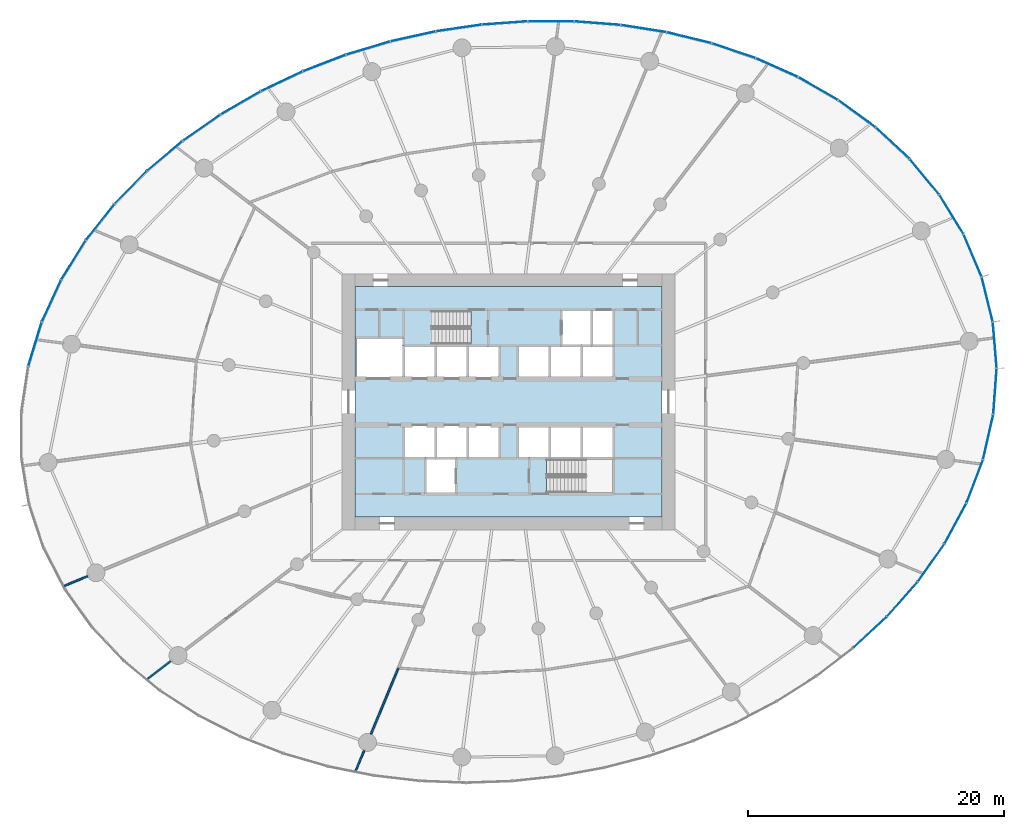
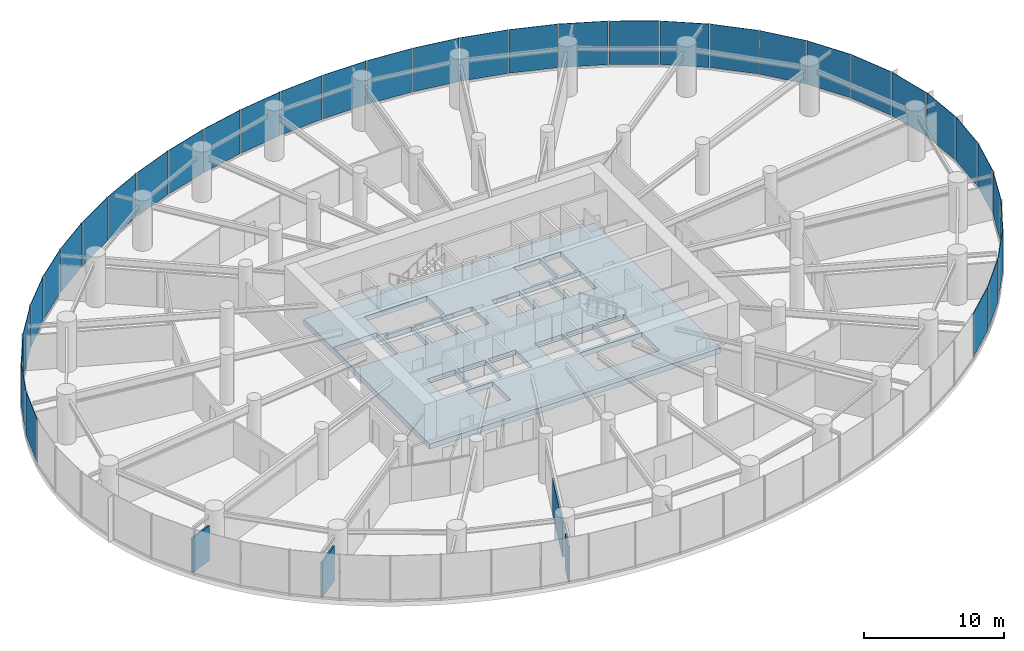
# One storey, part 11 of 19: 35 plates, 4 walls, 2 slabs, 8 elements without a shape of their own.
"""IFC4 building model written with IfcOpenShell, lengths in metres."""

from ifc_helpers import new_model, si_unit, direction, frame, frame_2d, origin, origin_2d, place, context, subcontext, project, spatial, line, indexed_curve, rectangle, outline, extrude, source, transform, mapped, material, layer, layer_set, type_object, element, aggregate, save


model = new_model("IFC4")

# Units and contexts
model_context = context("Model", 3, precision=1e-05, world=origin(), true_north=direction((0.0, 1.0)))
body_context = subcontext(model_context, "Body", "Model", "MODEL_VIEW")
ifc_project = project(units=[si_unit("LENGTHUNIT", "METRE"), si_unit("AREAUNIT", "SQUARE_METRE"), si_unit("VOLUMEUNIT", "CUBIC_METRE"), si_unit("PLANEANGLEUNIT", "RADIAN"), si_unit("MASSUNIT", "GRAM", prefix="KILO")], contexts=[model_context])

# Site, building, storey
site_placement = place(None, origin())
site = spatial("IfcSite", under=ifc_project, at=site_placement, CompositionType="ELEMENT")
building_placement = place(site_placement, origin())
building = spatial("IfcBuilding", under=site, at=building_placement, Name="Spindrift Exchange Tower", CompositionType="ELEMENT")
storey_placement = place(building_placement, frame((0.0, 0.0, 49.0)))
storey = spatial("IfcBuildingStorey", under=building, at=storey_placement, Name="L11", CompositionType="ELEMENT", Elevation=49.0)

# Slab
ifc_material_1 = material(Name="Concrete 50 MPa", Category="concrete")
ifc_layer_1 = layer(ifc_material_1, 0.449951171875)
ifc_layer_set_1 = layer_set([ifc_layer_1], Name="SL-CORE-FLOOR-450")
slab_type_1 = type_object("IfcSlabType", Name="SL-CORE-FLOOR-450", PredefinedType="FLOOR", material=ifc_layer_set_1)
slab_1_placement = place(storey_placement, frame((0.0, 0.0, -0.449951171875)))
element("IfcSlab", 1, at=slab_1_placement, inside=storey, type_object=slab_type_1, Name="L11 Core floor slab", PredefinedType="FLOOR", context=body_context, shape_type="SweptSolid", body=[
    extrude(outline(indexed_curve([(40.0, 39.0), (40.0, 57.0), (64.0, 57.0), (64.0, 39.0)], segments=[line(1, 2, 3, 4, 1)], self_intersect=False), holes=[indexed_curve([(47.800048828125, 43.5), (45.60009765625, 43.5), (45.60009765625, 40.89990234375), (47.800048828125, 40.89990234375)], segments=[line(1, 2, 3, 4, 1)], self_intersect=False), indexed_curve([(46.199951171875, 46.10009765625), (43.89990234375, 46.10009765625), (43.89990234375, 43.699951171875), (46.199951171875, 43.699951171875)], segments=[line(1, 2, 3, 4, 1)], self_intersect=False), indexed_curve([(48.699951171875, 46.10009765625), (46.39990234375, 46.10009765625), (46.39990234375, 43.699951171875), (48.699951171875, 43.699951171875)], segments=[line(1, 2, 3, 4, 1)], self_intersect=False), indexed_curve([(51.199951171875, 46.10009765625), (48.89990234375, 46.10009765625), (48.89990234375, 43.699951171875), (51.199951171875, 43.699951171875)], segments=[line(1, 2, 3, 4, 1)], self_intersect=False), indexed_curve([(46.199951171875, 52.300048828125), (43.89990234375, 52.300048828125), (43.89990234375, 49.89990234375), (46.199951171875, 49.89990234375)], segments=[line(1, 2, 3, 4, 1)], self_intersect=False), indexed_curve([(48.699951171875, 52.300048828125), (46.39990234375, 52.300048828125), (46.39990234375, 49.89990234375), (48.699951171875, 49.89990234375)], segments=[line(1, 2, 3, 4, 1)], self_intersect=False), indexed_curve([(51.199951171875, 52.300048828125), (48.89990234375, 52.300048828125), (48.89990234375, 49.89990234375), (51.199951171875, 49.89990234375)], segments=[line(1, 2, 3, 4, 1)], self_intersect=False), indexed_curve([(43.699951171875, 49.89990234375), (43.699951171875, 52.89990234375), (40.10009765625, 52.89990234375), (40.10009765625, 49.89990234375)], segments=[line(1, 2, 3, 4, 1)], self_intersect=False), indexed_curve([(49.0439453125, 55.093994140625), (43.906005859375, 55.093994140625), (43.906005859375, 52.506103515625), (49.0439453125, 52.506103515625)], segments=[line(1, 2, 3, 4, 1)], self_intersect=False), indexed_curve([(60.093994140625, 40.906005859375), (60.093994140625, 43.493896484375), (54.9560546875, 43.493896484375), (54.9560546875, 40.906005859375)], segments=[line(1, 2, 3, 4, 1)], self_intersect=False), indexed_curve([(55.10009765625, 46.10009765625), (52.800048828125, 46.10009765625), (52.800048828125, 43.699951171875), (55.10009765625, 43.699951171875)], segments=[line(1, 2, 3, 4, 1)], self_intersect=False), indexed_curve([(57.60009765625, 46.10009765625), (55.300048828125, 46.10009765625), (55.300048828125, 43.699951171875), (57.60009765625, 43.699951171875)], segments=[line(1, 2, 3, 4, 1)], self_intersect=False), indexed_curve([(60.10009765625, 46.10009765625), (57.800048828125, 46.10009765625), (57.800048828125, 43.699951171875), (60.10009765625, 43.699951171875)], segments=[line(1, 2, 3, 4, 1)], self_intersect=False), indexed_curve([(55.10009765625, 52.300048828125), (52.800048828125, 52.300048828125), (52.800048828125, 49.89990234375), (55.10009765625, 49.89990234375)], segments=[line(1, 2, 3, 4, 1)], self_intersect=False), indexed_curve([(57.60009765625, 52.300048828125), (55.300048828125, 52.300048828125), (55.300048828125, 49.89990234375), (57.60009765625, 49.89990234375)], segments=[line(1, 2, 3, 4, 1)], self_intersect=False), indexed_curve([(60.10009765625, 52.300048828125), (57.800048828125, 52.300048828125), (57.800048828125, 49.89990234375), (60.10009765625, 49.89990234375)], segments=[line(1, 2, 3, 4, 1)], self_intersect=False), indexed_curve([(58.39990234375, 52.5), (58.39990234375, 55.10009765625), (56.199951171875, 55.10009765625), (56.199951171875, 52.5)], segments=[line(1, 2, 3, 4, 1)], self_intersect=False), indexed_curve([(60.10009765625, 52.5), (60.10009765625, 55.10009765625), (58.60009765625, 55.10009765625), (58.60009765625, 52.5)], segments=[line(1, 2, 3, 4, 1)], self_intersect=False)]), origin(), (0.0, 0.0, 1.0), 0.449951171875),
])

# Stair, slab
stair_type = type_object("IfcStairType", Name="ST-1250-R183", PredefinedType="HALF_TURN_STAIR", material=ifc_material_1)
stair_placement = place(storey_placement, origin())
stair = element("IfcStair", 2, at=stair_placement, inside=storey, type_object=stair_type, Name="L11 Exit stair ST1", PredefinedType="HALF_TURN_STAIR")
ifc_layer_2 = layer(ifc_material_1, 0.199951171875)
ifc_layer_set_2 = layer_set([ifc_layer_2], Name="SL-LANDING")
slab_type_2 = type_object("IfcSlabType", Name="SL-LANDING", PredefinedType="LANDING", material=ifc_layer_set_2)
slab_2_placement = place(storey_placement, frame((0.0, 0.0, 2.0)))
slab_2 = element("IfcSlab", 3, at=slab_2_placement, type_object=slab_type_2, Name="ST1 landing 1", PredefinedType="LANDING", context=body_context, shape_type="SweptSolid", body=[
    extrude(outline(indexed_curve([(46.050048828125, 52.39990234375), (43.800048828125, 52.39990234375), (43.800048828125, 55.199951171875), (46.050048828125, 55.199951171875)], segments=[line(1, 2, 3, 4, 1)], self_intersect=False)), origin(), (0.0, 0.0, 1.0), 0.199951171875),
])
aggregate(stair, [slab_2])

# Curtain wall, plate
ifc_material_2 = material(Name="Fritted laminated glass with bronze frame", Category="glass")
ifc_layer_3 = layer(ifc_material_2, 0.199951171875)
ifc_layer_set_3 = layer_set([ifc_layer_3], Name="ZONE 1 BRONZE FRITTED WALL")
curtain_wall_type = type_object("IfcCurtainWallType", Name="ZONE 1 BRONZE FRITTED WALL", PredefinedType="NOTDEFINED", material=ifc_layer_set_3)
curtain_wall_1_placement = place(storey_placement, origin())
curtain_wall_1 = element("IfcCurtainWall", 4, at=curtain_wall_1_placement, inside=storey, type_object=curtain_wall_type, Name="L11 Zone 1 Bronze Fritted Wall run 5", PredefinedType="NOTDEFINED")
ifc_material_3 = material(Name="Bronze fritted laminated glass, dense frit", Category="glass")
ifc_layer_4 = layer(ifc_material_3, 0.035888671875)
ifc_layer_set_4 = layer_set([ifc_layer_4], Name="ZONE 1 BRONZE FRITTED WALL PANEL DENSE FRIT 180")
plate_type_1 = type_object("IfcPlateType", Name="ZONE 1 BRONZE FRITTED WALL PANEL DENSE FRIT 180", PredefinedType="CURTAIN_PANEL", material=ifc_layer_set_4)
shared_shape_1 = source(origin(), body_context, "Body", "SweptSolid", [
    extrude(rectangle(XDim=3.5458984375, YDim=0.035888671875, at=origin_2d()), origin(), (0.0, 0.0, 1.0), 3.800048828125),
])
plate_1_placement = place(storey_placement, frame((17.989501953125, 59.07080078125, 0.14990234375), z_axis=(0.0, 0.0, 1.0), x_axis=(-0.527683923122, -0.849440802692, 0.0)))
plate_1 = element("IfcPlate", 5, at=plate_1_placement, type_object=plate_type_1, Name="L11 panel CW-1.25", PredefinedType="CURTAIN_PANEL", context=body_context, shape_type="MappedRepresentation", body=[
    mapped(shared_shape_1, transform((0.0, 0.0, 0.0), scale=1.0)),
])

curtain_wall_2_placement = place(storey_placement, origin())
curtain_wall_2 = element("IfcCurtainWall", 6, at=curtain_wall_2_placement, inside=storey, type_object=curtain_wall_type, Name="L11 Zone 1 Bronze Fritted Wall run 10", PredefinedType="NOTDEFINED")
plate_2_placement = place(storey_placement, frame((86.91748046875, 38.49609375, 0.14990234375), z_axis=(0.0, 0.0, 1.0), x_axis=(0.474896325387, 0.880041749086, 0.0)))
plate_2 = element("IfcPlate", 7, at=plate_2_placement, type_object=plate_type_1, Name="L11 panel CW-1.55", PredefinedType="CURTAIN_PANEL", context=body_context, shape_type="MappedRepresentation", body=[
    mapped(shared_shape_1, transform((0.0, 0.0, 0.0), scale=1.0)),
])

curtain_wall_3_placement = place(storey_placement, origin())
curtain_wall_3 = element("IfcCurtainWall", 8, at=curtain_wall_3_placement, inside=storey, type_object=curtain_wall_type, Name="L11 Zone 1 Bronze Fritted Wall run 9", PredefinedType="NOTDEFINED")
ifc_layer_5 = layer(ifc_material_3, 0.035888671875)
ifc_layer_set_5 = layer_set([ifc_layer_5], Name="ZONE 1 BRONZE FRITTED WALL PANEL DENSE FRIT 300")
plate_type_2 = type_object("IfcPlateType", Name="ZONE 1 BRONZE FRITTED WALL PANEL DENSE FRIT 300", PredefinedType="CURTAIN_PANEL", material=ifc_layer_set_5)
shared_shape_2 = source(origin(), body_context, "Body", "SweptSolid", [
    extrude(rectangle(XDim=3.54638671875, YDim=0.035888671875, at=origin_2d()), origin(), (0.0, 0.0, 1.0), 3.800048828125),
])
plate_3_placement = place(storey_placement, frame((85.011474609375, 35.418701171875, 0.14990234375), z_axis=(0.0, 0.0, 1.0), x_axis=(0.576349594377, 0.817203245871, 0.0)))
plate_3 = element("IfcPlate", 9, at=plate_3_placement, type_object=plate_type_2, Name="L11 panel CW-1.54", PredefinedType="CURTAIN_PANEL", context=body_context, shape_type="MappedRepresentation", body=[
    mapped(shared_shape_2, transform((0.0, 0.0, 0.0), scale=1.0)),
])

curtain_wall_4_placement = place(storey_placement, origin())
curtain_wall_4 = element("IfcCurtainWall", 10, at=curtain_wall_4_placement, inside=storey, type_object=curtain_wall_type, Name="L11 Zone 1 Bronze Fritted Wall run 4", PredefinedType="NOTDEFINED")
shared_shape_3 = source(origin(), body_context, "Body", "SweptSolid", [
    extrude(rectangle(XDim=3.546875, YDim=0.035888671875, at=origin_2d()), origin(), (0.0, 0.0, 1.0), 3.800048828125),
])
plate_4_placement = place(storey_placement, frame((25.124267578125, 67.2109375, 0.14990234375), z_axis=(0.0, 0.0, 1.0), x_axis=(-0.765522518547, -0.643409102825, 0.0)))
plate_4 = element("IfcPlate", 11, at=plate_4_placement, type_object=plate_type_2, Name="L11 panel CW-1.22", PredefinedType="CURTAIN_PANEL", context=body_context, shape_type="MappedRepresentation", body=[
    mapped(shared_shape_3, transform((0.0, 0.0, 0.0), scale=1.0)),
])

# Plate
plate_5_placement = place(storey_placement, frame((80.23388671875, 29.988037109375, 0.14990234375), z_axis=(0.0, 0.0, 1.0), x_axis=(0.734115147297, 0.679024999914, 0.0)))
plate_5 = element("IfcPlate", 12, at=plate_5_placement, type_object=plate_type_2, Name="L11 panel CW-1.52", PredefinedType="CURTAIN_PANEL", context=body_context, shape_type="MappedRepresentation", body=[
    mapped(shared_shape_3, transform((0.0, 0.0, 0.0), scale=1.0)),
])

# Curtain wall, plate
curtain_wall_5_placement = place(storey_placement, origin())
curtain_wall_5 = element("IfcCurtainWall", 13, at=curtain_wall_5_placement, inside=storey, type_object=curtain_wall_type, Name="L11 Zone 1 Bronze Fritted Wall run 2", PredefinedType="NOTDEFINED")
ifc_layer_6 = layer(ifc_material_3, 0.035888671875)
ifc_layer_set_6 = layer_set([ifc_layer_6], Name="ZONE 1 BRONZE FRITTED WALL PANEL DENSE FRIT 420")
plate_type_3 = type_object("IfcPlateType", Name="ZONE 1 BRONZE FRITTED WALL PANEL DENSE FRIT 420", PredefinedType="CURTAIN_PANEL", material=ifc_layer_set_6)
shared_shape_4 = source(origin(), body_context, "Body", "SweptSolid", [
    extrude(rectangle(XDim=3.547119140625, YDim=0.035888671875, at=origin_2d()), origin(), (0.0, 0.0, 1.0), 3.800048828125),
])
plate_6_placement = place(storey_placement, frame((66.1025390625, 76.45361328125, 0.14990234375), z_axis=(0.0, 0.0, 1.0), x_axis=(-0.971579700575, 0.236712664281, 0.0)))
plate_6 = element("IfcPlate", 14, at=plate_6_placement, type_object=plate_type_3, Name="L11 panel CW-1.10", PredefinedType="CURTAIN_PANEL", context=body_context, shape_type="MappedRepresentation", body=[
    mapped(shared_shape_4, transform((0.0, 0.0, 0.0), scale=1.0)),
])

# Plate
plate_7_placement = place(storey_placement, frame((31.05810546875, 71.359619140625, 0.14990234375), z_axis=(0.0, 0.0, 1.0), x_axis=(-0.865787941428, -0.500411071498, 0.0)))
plate_7 = element("IfcPlate", 15, at=plate_7_placement, type_object=plate_type_3, Name="L11 panel CW-1.20", PredefinedType="CURTAIN_PANEL", context=body_context, shape_type="MappedRepresentation", body=[
    mapped(shared_shape_4, transform((0.0, 0.0, 0.0), scale=1.0)),
])

# Curtain wall, plates
curtain_wall_6_placement = place(storey_placement, origin())
curtain_wall_6 = element("IfcCurtainWall", 16, at=curtain_wall_6_placement, inside=storey, type_object=curtain_wall_type, Name="L11 Zone 1 Bronze Fritted Wall run 3", PredefinedType="NOTDEFINED")
shared_shape_5 = source(origin(), body_context, "Body", "SweptSolid", [
    extrude(rectangle(XDim=3.54736328125, YDim=0.035888671875, at=origin_2d()), origin(), (0.0, 0.0, 1.0), 3.800048828125),
])
plate_8_placement = place(storey_placement, frame((41.0283203125, 75.64501953125, 0.14990234375), z_axis=(0.0, 0.0, 1.0), x_axis=(-0.9577954075, -0.287450791217, 0.0)))
plate_8 = element("IfcPlate", 17, at=plate_8_placement, type_object=plate_type_2, Name="L11 panel CW-1.17", PredefinedType="CURTAIN_PANEL", context=body_context, shape_type="MappedRepresentation", body=[
    mapped(shared_shape_5, transform((0.0, 0.0, 0.0), scale=1.0)),
])
plate_9_placement = place(storey_placement, frame((37.597900390625, 74.473876953125, 0.14990234375), z_axis=(0.0, 0.0, 1.0), x_axis=(-0.933604192306, -0.358306031359, 0.0)))
plate_9 = element("IfcPlate", 18, at=plate_9_placement, type_object=plate_type_2, Name="L11 panel CW-1.18", PredefinedType="CURTAIN_PANEL", context=body_context, shape_type="MappedRepresentation", body=[
    mapped(shared_shape_5, transform((0.0, 0.0, 0.0), scale=1.0)),
])
shared_shape_6 = source(origin(), body_context, "Body", "SweptSolid", [
    extrude(rectangle(XDim=3.54736328125, YDim=0.035888671875, at=origin_2d()), origin(), (0.0, 0.0, 1.0), 3.800048828125),
])
plate_10_placement = place(storey_placement, frame((51.705078125, 77.60693359375, 0.14990234375), z_axis=(0.0, 0.0, 1.0), x_axis=(-0.997398054056, -0.072091065773, 0.0)))
plate_10 = element("IfcPlate", 19, at=plate_10_placement, type_object=plate_type_1, Name="L11 panel CW-1.14", PredefinedType="CURTAIN_PANEL", context=body_context, shape_type="MappedRepresentation", body=[
    mapped(shared_shape_6, transform((0.0, 0.0, 0.0), scale=1.0)),
])

# Plate
shared_shape_7 = source(origin(), body_context, "Body", "SweptSolid", [
    extrude(rectangle(XDim=3.54736328125, YDim=0.035888671875, at=origin_2d()), origin(), (0.0, 0.0, 1.0), 3.800048828125),
])
plate_11_placement = place(storey_placement, frame((62.549072265625, 77.165771484375, 0.14990234375), z_axis=(0.0, 0.0, 1.0), x_axis=(-0.987772291015, 0.155903499327, 0.0)))
plate_11 = element("IfcPlate", 20, at=plate_11_placement, type_object=plate_type_3, Name="L11 panel CW-1.11", PredefinedType="CURTAIN_PANEL", context=body_context, shape_type="MappedRepresentation", body=[
    mapped(shared_shape_7, transform((0.0, 0.0, 0.0), scale=1.0)),
])

plate_12_placement = place(storey_placement, frame((58.94970703125, 77.589599609375, 0.14990234375), z_axis=(0.0, 0.0, 1.0), x_axis=(-0.996969014732, 0.077799637946, 0.0)))
plate_12 = element("IfcPlate", 21, at=plate_12_placement, type_object=plate_type_3, Name="L11 panel CW-1.12", PredefinedType="CURTAIN_PANEL", context=body_context, shape_type="MappedRepresentation", body=[
    mapped(shared_shape_7, transform((0.0, 0.0, 0.0), scale=1.0)),
])

plate_13_placement = place(storey_placement, frame((55.32763671875, 77.734130859375, 0.14990234375), z_axis=(0.0, 0.0, 1.0), x_axis=(-0.999998136906, 0.001930332954, 0.0)))
plate_13 = element("IfcPlate", 22, at=plate_13_placement, type_object=plate_type_3, Name="L11 panel CW-1.13", PredefinedType="CURTAIN_PANEL", context=body_context, shape_type="MappedRepresentation", body=[
    mapped(shared_shape_7, transform((0.0, 0.0, 0.0), scale=1.0)),
])

plate_14_placement = place(storey_placement, frame((44.5361328125, 76.558837890625, 0.14990234375), z_axis=(0.0, 0.0, 1.0), x_axis=(-0.976314136097, -0.216357823196, 0.0)))
plate_14 = element("IfcPlate", 23, at=plate_14_placement, type_object=plate_type_3, Name="L11 panel CW-1.16", PredefinedType="CURTAIN_PANEL", context=body_context, shape_type="MappedRepresentation", body=[
    mapped(shared_shape_7, transform((0.0, 0.0, 0.0), scale=1.0)),
])

plate_15_placement = place(storey_placement, frame((34.2666015625, 73.04541015625, 0.14990234375), z_axis=(0.0, 0.0, 1.0), x_axis=(-0.903201992592, -0.429215750616, 0.0)))
plate_15 = element("IfcPlate", 24, at=plate_15_placement, type_object=plate_type_3, Name="L11 panel CW-1.19", PredefinedType="CURTAIN_PANEL", context=body_context, shape_type="MappedRepresentation", body=[
    mapped(shared_shape_7, transform((0.0, 0.0, 0.0), scale=1.0)),
])

shared_shape_8 = source(origin(), body_context, "Body", "SweptSolid", [
    extrude(rectangle(XDim=3.547119140625, YDim=0.035888671875, at=origin_2d()), origin(), (0.0, 0.0, 1.0), 3.800048828125),
])
plate_16_placement = place(storey_placement, frame((28.000244140625, 69.414794921875, 0.14990234375), z_axis=(0.0, 0.0, 1.0), x_axis=(-0.820341561532, -0.571873869331, 0.0)))
plate_16 = element("IfcPlate", 25, at=plate_16_placement, type_object=plate_type_1, Name="L11 panel CW-1.21", PredefinedType="CURTAIN_PANEL", context=body_context, shape_type="MappedRepresentation", body=[
    mapped(shared_shape_8, transform((0.0, 0.0, 0.0), scale=1.0)),
])

shared_shape_9 = source(origin(), body_context, "Body", "SweptSolid", [
    extrude(rectangle(XDim=3.546875, YDim=0.035888671875, at=origin_2d()), origin(), (0.0, 0.0, 1.0), 3.800048828125),
])
plate_17_placement = place(storey_placement, frame((72.956298828125, 74.123291015625, 0.14990234375), z_axis=(0.0, 0.0, 1.0), x_axis=(-0.913257013232, 0.407383882576, 0.0)))
plate_17 = element("IfcPlate", 26, at=plate_17_placement, type_object=plate_type_3, Name="L11 panel CW-1.8", PredefinedType="CURTAIN_PANEL", context=body_context, shape_type="MappedRepresentation", body=[
    mapped(shared_shape_9, transform((0.0, 0.0, 0.0), scale=1.0)),
])

shared_shape_10 = source(origin(), body_context, "Body", "SweptSolid", [
    extrude(rectangle(XDim=3.546630859375, YDim=0.035888671875, at=origin_2d()), origin(), (0.0, 0.0, 1.0), 3.800048828125),
])
plate_18_placement = place(storey_placement, frame((76.185791015625, 72.48291015625, 0.14990234375), z_axis=(0.0, 0.0, 1.0), x_axis=(-0.867674363563, 0.497132979007, 0.0)))
plate_18 = element("IfcPlate", 27, at=plate_18_placement, type_object=plate_type_1, Name="L11 panel CW-1.7", PredefinedType="CURTAIN_PANEL", context=body_context, shape_type="MappedRepresentation", body=[
    mapped(shared_shape_10, transform((0.0, 0.0, 0.0), scale=1.0)),
])

shared_shape_11 = source(origin(), body_context, "Body", "SweptSolid", [
    extrude(rectangle(XDim=3.545654296875, YDim=0.035888671875, at=origin_2d()), origin(), (0.0, 0.0, 1.0), 3.800048828125),
])
plate_19_placement = place(storey_placement, frame((16.275146484375, 55.884033203125, 0.14990234375), z_axis=(0.0, 0.0, 1.0), x_axis=(-0.417940012166, -0.90847462608, 0.0)))
plate_19 = element("IfcPlate", 28, at=plate_19_placement, type_object=plate_type_1, Name="L11 panel CW-1.26", PredefinedType="CURTAIN_PANEL", context=body_context, shape_type="MappedRepresentation", body=[
    mapped(shared_shape_11, transform((0.0, 0.0, 0.0), scale=1.0)),
])

# Curtain wall, plate
curtain_wall_7_placement = place(storey_placement, origin())
curtain_wall_7 = element("IfcCurtainWall", 29, at=curtain_wall_7_placement, inside=storey, type_object=curtain_wall_type, Name="L11 Zone 1 Bronze Fritted Wall run 1", PredefinedType="NOTDEFINED")
shared_shape_12 = source(origin(), body_context, "Body", "SweptSolid", [
    extrude(rectangle(XDim=3.54443359375, YDim=0.035888671875, at=origin_2d()), origin(), (0.0, 0.0, 1.0), 3.800048828125),
])
plate_20_placement = place(storey_placement, frame((89.402587890625, 55.998291015625, 0.14990234375), z_axis=(0.0, 0.0, 1.0), x_axis=(-0.240756603434, 0.97058552323, 0.0)))
plate_20 = element("IfcPlate", 30, at=plate_20_placement, type_object=plate_type_2, Name="L11 panel CW-1.1", PredefinedType="CURTAIN_PANEL", context=body_context, shape_type="MappedRepresentation", body=[
    mapped(shared_shape_12, transform((0.0, 0.0, 0.0), scale=1.0)),
])

# Plate
plate_21_placement = place(storey_placement, frame((89.990478515625, 52.43359375, 0.14990234375), z_axis=(0.0, 0.0, 1.0), x_axis=(-0.083599578708, 0.996499428219, 0.0)))
plate_21 = element("IfcPlate", 31, at=plate_21_placement, type_object=plate_type_2, Name="L11 panel CW-1.59", PredefinedType="CURTAIN_PANEL", context=body_context, shape_type="MappedRepresentation", body=[
    mapped(shared_shape_12, transform((0.0, 0.0, 0.0), scale=1.0)),
])

shared_shape_13 = source(origin(), body_context, "Body", "SweptSolid", [
    extrude(rectangle(XDim=3.544921875, YDim=0.035888671875, at=origin_2d()), origin(), (0.0, 0.0, 1.0), 3.800048828125),
])
plate_22_placement = place(storey_placement, frame((86.605712890625, 62.639892578125, 0.14990234375), z_axis=(0.0, 0.0, 1.0), x_axis=(-0.523260282562, 0.852172914785, 0.0)))
plate_22 = element("IfcPlate", 32, at=plate_22_placement, type_object=plate_type_3, Name="L11 panel CW-1.3", PredefinedType="CURTAIN_PANEL", context=body_context, shape_type="MappedRepresentation", body=[
    mapped(shared_shape_13, transform((0.0, 0.0, 0.0), scale=1.0)),
])

plate_23_placement = place(storey_placement, frame((89.473876953125, 45.24560546875, 0.14990234375), z_axis=(0.0, 0.0, 1.0), x_axis=(0.221956947777, 0.975056466741, 0.0)))
plate_23 = element("IfcPlate", 33, at=plate_23_placement, type_object=plate_type_3, Name="L11 panel CW-1.57", PredefinedType="CURTAIN_PANEL", context=body_context, shape_type="MappedRepresentation", body=[
    mapped(shared_shape_13, transform((0.0, 0.0, 0.0), scale=1.0)),
])

shared_shape_14 = source(origin(), body_context, "Body", "SweptSolid", [
    extrude(rectangle(XDim=3.545166015625, YDim=0.035888671875, at=origin_2d()), origin(), (0.0, 0.0, 1.0), 3.800048828125),
])
plate_24_placement = place(storey_placement, frame((14.989501953125, 52.503173828125, 0.14990234375), z_axis=(0.0, 0.0, 1.0), x_axis=(-0.291293302052, -0.956633792096, 0.0)))
plate_24 = element("IfcPlate", 34, at=plate_24_placement, type_object=plate_type_2, Name="L11 panel CW-1.27", PredefinedType="CURTAIN_PANEL", context=body_context, shape_type="MappedRepresentation", body=[
    mapped(shared_shape_14, transform((0.0, 0.0, 0.0), scale=1.0)),
])

aggregate(curtain_wall_1, [plate_1, plate_19, plate_24])

shared_shape_15 = source(origin(), body_context, "Body", "SweptSolid", [
    extrude(rectangle(XDim=3.5458984375, YDim=0.035888671875, at=origin_2d()), origin(), (0.0, 0.0, 1.0), 3.800048828125),
])
plate_25_placement = place(storey_placement, frame((82.017578125, 68.21142578125, 0.14990234375), z_axis=(0.0, 0.0, 1.0), x_axis=(-0.732317122925, 0.680963751951, 0.0)))
plate_25 = element("IfcPlate", 35, at=plate_25_placement, type_object=plate_type_3, Name="L11 panel CW-1.5", PredefinedType="CURTAIN_PANEL", context=body_context, shape_type="MappedRepresentation", body=[
    mapped(shared_shape_15, transform((0.0, 0.0, 0.0), scale=1.0)),
])

shared_shape_16 = source(origin(), body_context, "Body", "SweptSolid", [
    extrude(rectangle(XDim=3.546875, YDim=0.035888671875, at=origin_2d()), origin(), (0.0, 0.0, 1.0), 3.800048828125),
])
plate_26_placement = place(storey_placement, frame((69.58251953125, 75.443115234375, 0.14990234375), z_axis=(0.0, 0.0, 1.0), x_axis=(-0.94725111905, 0.320492304836, 0.0)))
plate_26 = element("IfcPlate", 36, at=plate_26_placement, type_object=plate_type_1, Name="L11 panel CW-1.9", PredefinedType="CURTAIN_PANEL", context=body_context, shape_type="MappedRepresentation", body=[
    mapped(shared_shape_16, transform((0.0, 0.0, 0.0), scale=1.0)),
])

aggregate(curtain_wall_5, [plate_18, plate_17, plate_26, plate_6, plate_11, plate_12])

shared_shape_17 = source(origin(), body_context, "Body", "SweptSolid", [
    extrude(rectangle(XDim=3.544677734375, YDim=0.035888671875, at=origin_2d()), origin(), (0.0, 0.0, 1.0), 3.800048828125),
])
plate_27_placement = place(storey_placement, frame((88.26025390625, 59.42626953125, 0.14990234375), z_axis=(0.0, 0.0, 1.0), x_axis=(-0.389636769018, 0.920968614139, 0.0)))
plate_27 = element("IfcPlate", 37, at=plate_27_placement, type_object=plate_type_2, Name="L11 panel CW-1.2", PredefinedType="CURTAIN_PANEL", context=body_context, shape_type="MappedRepresentation", body=[
    mapped(shared_shape_17, transform((0.0, 0.0, 0.0), scale=1.0)),
])

shared_shape_18 = source(origin(), body_context, "Body", "SweptSolid", [
    extrude(rectangle(XDim=3.54541015625, YDim=0.035888671875, at=origin_2d()), origin(), (0.0, 0.0, 1.0), 3.800048828125),
])
plate_28_placement = place(storey_placement, frame((84.501220703125, 65.580810546875, 0.14990234375), z_axis=(0.0, 0.0, 1.0), x_axis=(-0.637756095935, 0.770238380047, 0.0)))
plate_28 = element("IfcPlate", 38, at=plate_28_placement, type_object=plate_type_3, Name="L11 panel CW-1.4", PredefinedType="CURTAIN_PANEL", context=body_context, shape_type="MappedRepresentation", body=[
    mapped(shared_shape_18, transform((0.0, 0.0, 0.0), scale=1.0)),
])

plate_29_placement = place(storey_placement, frame((88.425048828125, 41.784912109375, 0.14990234375), z_axis=(0.0, 0.0, 1.0), x_axis=(0.35670701973, 0.934216303687, 0.0)))
plate_29 = element("IfcPlate", 39, at=plate_29_placement, type_object=plate_type_3, Name="L11 panel CW-1.56", PredefinedType="CURTAIN_PANEL", context=body_context, shape_type="MappedRepresentation", body=[
    mapped(shared_shape_18, transform((0.0, 0.0, 0.0), scale=1.0)),
])

shared_shape_19 = source(origin(), body_context, "Body", "SweptSolid", [
    extrude(rectangle(XDim=3.54638671875, YDim=0.035888671875, at=origin_2d()), origin(), (0.0, 0.0, 1.0), 3.800048828125),
])
plate_30_placement = place(storey_placement, frame((79.224609375, 70.513916015625, 0.14990234375), z_axis=(0.0, 0.0, 1.0), x_axis=(-0.808187280122, 0.588925564268, 0.0)))
plate_30 = element("IfcPlate", 40, at=plate_30_placement, type_object=plate_type_3, Name="L11 panel CW-1.6", PredefinedType="CURTAIN_PANEL", context=body_context, shape_type="MappedRepresentation", body=[
    mapped(shared_shape_19, transform((0.0, 0.0, 0.0), scale=1.0)),
])

aggregate(curtain_wall_7, [plate_20, plate_27, plate_22, plate_28, plate_25, plate_30])

plate_31_placement = place(storey_placement, frame((20.072509765625, 62.031982421875, 0.14990234375), z_axis=(0.0, 0.0, 1.0), x_axis=(-0.621079387757, -0.783747659711, 0.0)))
plate_31 = element("IfcPlate", 41, at=plate_31_placement, type_object=plate_type_3, Name="L11 panel CW-1.24", PredefinedType="CURTAIN_PANEL", context=body_context, shape_type="MappedRepresentation", body=[
    mapped(shared_shape_19, transform((0.0, 0.0, 0.0), scale=1.0)),
])

plate_32_placement = place(storey_placement, frame((82.765869140625, 32.578125, 0.14990234375), z_axis=(0.0, 0.0, 1.0), x_axis=(0.662121868333, 0.749396177916, 0.0)))
plate_32 = element("IfcPlate", 42, at=plate_32_placement, type_object=plate_type_3, Name="L11 panel CW-1.53", PredefinedType="CURTAIN_PANEL", context=body_context, shape_type="MappedRepresentation", body=[
    mapped(shared_shape_19, transform((0.0, 0.0, 0.0), scale=1.0)),
])

aggregate(curtain_wall_3, [plate_5, plate_32, plate_3])

shared_shape_20 = source(origin(), body_context, "Body", "SweptSolid", [
    extrude(rectangle(XDim=3.546630859375, YDim=0.035888671875, at=origin_2d()), origin(), (0.0, 0.0, 1.0), 3.800048828125),
])
plate_33_placement = place(storey_placement, frame((22.46728515625, 64.748779296875, 0.14990234375), z_axis=(0.0, 0.0, 1.0), x_axis=(-0.699705736944, -0.714431159516, 0.0)))
plate_33 = element("IfcPlate", 43, at=plate_33_placement, type_object=plate_type_3, Name="L11 panel CW-1.23", PredefinedType="CURTAIN_PANEL", context=body_context, shape_type="MappedRepresentation", body=[
    mapped(shared_shape_20, transform((0.0, 0.0, 0.0), scale=1.0)),
])

aggregate(curtain_wall_4, [plate_15, plate_7, plate_16, plate_4, plate_33, plate_31])

shared_shape_21 = source(origin(), body_context, "Body", "SweptSolid", [
    extrude(rectangle(XDim=3.544677734375, YDim=0.035888671875, at=origin_2d()), origin(), (0.0, 0.0, 1.0), 3.800048828125),
])
plate_34_placement = place(storey_placement, frame((90.009033203125, 48.8203125, 0.14990234375), z_axis=(0.0, 0.0, 1.0), x_axis=(0.073332191477, 0.997307570258, 0.0)))
plate_34 = element("IfcPlate", 44, at=plate_34_placement, type_object=plate_type_1, Name="L11 panel CW-1.58", PredefinedType="CURTAIN_PANEL", context=body_context, shape_type="MappedRepresentation", body=[
    mapped(shared_shape_21, transform((0.0, 0.0, 0.0), scale=1.0)),
])

aggregate(curtain_wall_2, [plate_2, plate_29, plate_23, plate_34, plate_21])

shared_shape_22 = source(origin(), body_context, "Body", "SweptSolid", [
    extrude(rectangle(XDim=3.547607421875, YDim=0.035888671875, at=origin_2d()), origin(), (0.0, 0.0, 1.0), 3.800048828125),
])
plate_35_placement = place(storey_placement, frame((48.101318359375, 77.213623046875, 0.14990234375), z_axis=(0.0, 0.0, 1.0), x_axis=(-0.989471550346, -0.144727506215, 0.0)))
plate_35 = element("IfcPlate", 45, at=plate_35_placement, type_object=plate_type_3, Name="L11 panel CW-1.15", PredefinedType="CURTAIN_PANEL", context=body_context, shape_type="MappedRepresentation", body=[
    mapped(shared_shape_22, transform((0.0, 0.0, 0.0), scale=1.0)),
])

aggregate(curtain_wall_6, [plate_13, plate_10, plate_35, plate_14, plate_8, plate_9])

# Walls
ifc_material_4 = material(Name="Fire-rated plasterboard partition", Category="gypsum")
ifc_layer_7 = layer(ifc_material_4, 0.139892578125)
ifc_layer_set_7 = layer_set([ifc_layer_7], Name="W-PART-140")
wall_type = type_object("IfcWallType", Name="W-PART-140", PredefinedType="PARTITIONING", material=ifc_layer_set_7)
wall_1_placement = place(storey_placement, frame((43.37255859375, 27.17138671875, 0.0), z_axis=(0.0, 0.0, 1.0), x_axis=(-0.382670118501, -0.923885047182, 0.0)))
element("IfcWall", 46, at=wall_1_placement, inside=storey, type_object=wall_type, Name="L11 Partition wall 90", PredefinedType="PARTITIONING", context=body_context, shape_type="SweptSolid", body=[
    extrude(rectangle(XDim=5.554443359375, YDim=0.139892578125, at=frame_2d((2.77734375, 0.0))), origin(), (0.0, 0.0, 1.0), 3.050048828125),
])
wall_2_placement = place(storey_placement, frame((25.605712890625, 27.746826171875, 0.0), z_axis=(0.0, 0.0, 1.0), x_axis=(-0.793384830347, -0.608720388172, 0.0)))
element("IfcWall", 47, at=wall_2_placement, inside=storey, type_object=wall_type, Name="L11 Partition wall 111", PredefinedType="PARTITIONING", context=body_context, shape_type="SweptSolid", body=[
    extrude(rectangle(XDim=2.32421875, YDim=0.139892578125, at=frame_2d((1.162109375, 0.0))), origin(), (0.0, 0.0, 1.0), 3.050048828125),
])
wall_3_placement = place(storey_placement, frame((19.099853515625, 34.372314453125, 0.0), z_axis=(0.0, 0.0, 1.0), x_axis=(-0.923874199787, -0.382696306447, 0.0)))
element("IfcWall", 48, at=wall_3_placement, inside=storey, type_object=wall_type, Name="L11 Partition wall 122", PredefinedType="PARTITIONING", context=body_context, shape_type="SweptSolid", body=[
    extrude(rectangle(XDim=1.9609375, YDim=0.139892578125, at=frame_2d((0.98046875, 0.0))), origin(), (0.0, 0.0, 1.0), 3.050048828125),
])
wall_4_placement = place(storey_placement, frame((40.70751953125, 20.7373046875, 0.0), z_axis=(0.0, 0.0, 1.0), x_axis=(-0.382632674553, -0.923900555452, 0.0)))
element("IfcWall", 49, at=wall_4_placement, inside=storey, type_object=wall_type, Name="L11 Partition wall 125", PredefinedType="PARTITIONING", context=body_context, shape_type="SweptSolid", body=[
    extrude(rectangle(XDim=1.71435546875, YDim=0.139892578125, at=frame_2d((0.857177734375, 0.0))), origin(), (0.0, 0.0, 1.0), 3.050048828125),
])

save(model, "model.ifc")
